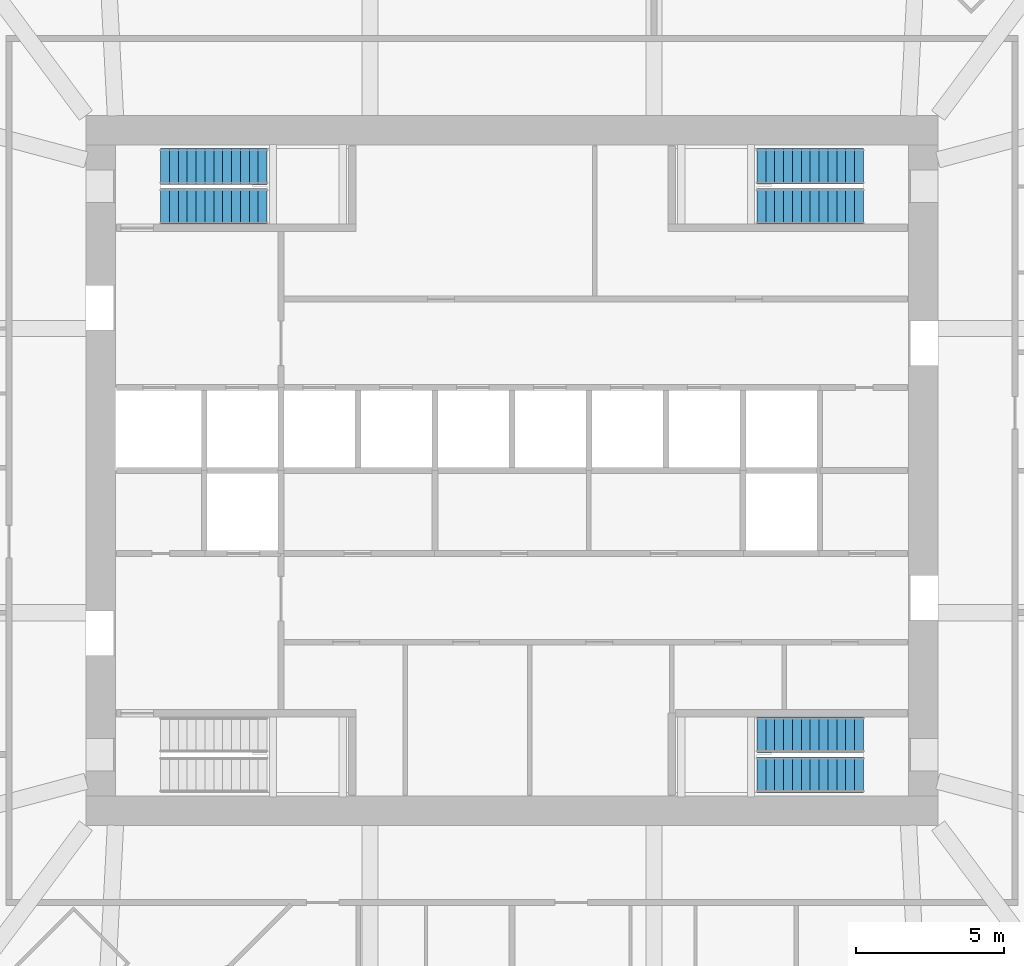
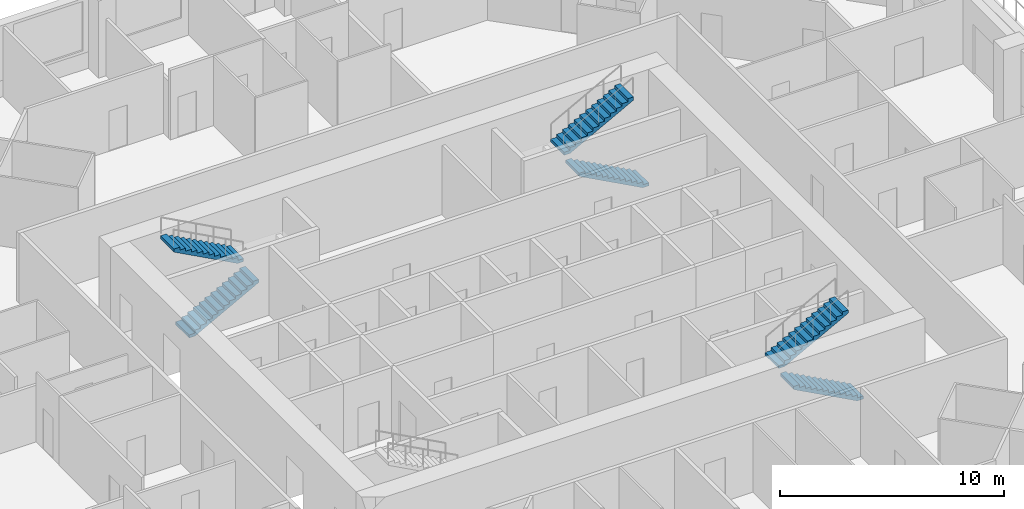
# One storey, part 11 of 13: 6 stair flights, 3 elements without a shape of their own.
"""IFC4 building model written with IfcOpenShell, lengths in metres."""

from ifc_helpers import new_model, si_unit, direction, frame, origin, place, context, subcontext, project, spatial, polyline, outline, extrude, material, type_object, element, aggregate, save


model = new_model("IFC4")

# Units and contexts
model_context = context("Model", 3, precision=1e-05, world=origin(), true_north=direction((0.0, 1.0)))
body_context = subcontext(model_context, "Body", "Model", "MODEL_VIEW")
ifc_project = project(units=[si_unit("LENGTHUNIT", "METRE"), si_unit("AREAUNIT", "SQUARE_METRE"), si_unit("VOLUMEUNIT", "CUBIC_METRE"), si_unit("PLANEANGLEUNIT", "RADIAN"), si_unit("MASSUNIT", "GRAM", prefix="KILO")], contexts=[model_context])

# Site, building, storey
site_placement = place(None, origin())
site = spatial("IfcSite", under=ifc_project, at=site_placement, CompositionType="ELEMENT")
building_placement = place(site_placement, origin())
building = spatial("IfcBuilding", under=site, at=building_placement, Name="Msitu Wima Residences", CompositionType="ELEMENT")
storey_placement = place(building_placement, frame((0.0, 0.0, 92.699951171875)))
storey = spatial("IfcBuildingStorey", under=building, at=storey_placement, Name="L21", CompositionType="ELEMENT", Elevation=92.699951171875)

# Stair, stair flights
ifc_material = material(Name="Concrete C40/50", Category="concrete")
stair_type = type_object("IfcStairType", Name="Exit stair ES1615-120", PredefinedType="HALF_TURN_STAIR", material=ifc_material)
stair_1_placement = place(storey_placement, origin())
stair_1 = element("IfcStair", 1, at=stair_1_placement, inside=storey, type_object=stair_type, Name="Exit stair 1", PredefinedType="HALF_TURN_STAIR")
stair_flight_type = type_object("IfcStairFlightType", Name="Exit stair flight ES1615-120", PredefinedType="STRAIGHT", material=ifc_material)
stair_flight_1_placement = place(storey_placement, frame((-11.875, 8.925048828125, 0.0), z_axis=(0.0, 0.0, 1.0), x_axis=(1.0, 0.0, 0.0)))
stair_flight_1 = element("IfcStairFlight", 2, at=stair_flight_1_placement, type_object=stair_flight_type, Name="S1 flight 1", NumberOfRisers=13, NumberOfTreads=12, PredefinedType="STRAIGHT", RiserHeight=0.161538462, TreadLength=0.3, context=body_context, shape_type="SweptSolid", body=[
    extrude(outline(polyline([(0.0, 0.0), (0.0, 0.16162109375), (0.300048828125, 0.16162109375), (0.300048828125, 0.322998046875), (0.60009765625, 0.322998046875), (0.60009765625, 0.484619140625), (0.89990234375, 0.484619140625), (0.89990234375, 0.646240234375), (1.199951171875, 0.646240234375), (1.199951171875, 0.8076171875), (1.5, 0.8076171875), (1.5, 0.96923828125), (1.800048828125, 0.96923828125), (1.800048828125, 1.130859375), (2.10009765625, 1.130859375), (2.10009765625, 1.292236328125), (2.39990234375, 1.292236328125), (2.39990234375, 1.453857421875), (2.699951171875, 1.453857421875), (2.699951171875, 1.615478515625), (3.0, 1.615478515625), (3.0, 1.77685546875), (3.300048828125, 1.77685546875), (3.300048828125, 1.9384765625), (3.60009765625, 1.9384765625), (3.60009765625, 2.10009765625), (3.60009765625, 1.768310546875), (0.316162109375, 0.0), (0.0, 0.0)])), frame((0.0, 0.60009765625, 0.0), z_axis=(0.0, -1.0, 0.0), x_axis=(1.0, 0.0, 0.0)), (0.0, 0.0, 1.0), 1.199951171875),
])
stair_flight_2_placement = place(storey_placement, frame((-8.27490234375, 10.27490234375, 2.10009765625), z_axis=(0.0, 0.0, 1.0), x_axis=(-1.0, 0.0, 0.0)))
stair_flight_2 = element("IfcStairFlight", 3, at=stair_flight_2_placement, type_object=stair_flight_type, Name="S1 flight 2", NumberOfRisers=13, NumberOfTreads=12, PredefinedType="STRAIGHT", RiserHeight=0.161538462, TreadLength=0.3, context=body_context, shape_type="SweptSolid", body=[
    extrude(outline(polyline([(0.0, 0.0), (0.0, 0.16162109375), (0.300048828125, 0.16162109375), (0.300048828125, 0.322998046875), (0.60009765625, 0.322998046875), (0.60009765625, 0.484619140625), (0.89990234375, 0.484619140625), (0.89990234375, 0.646240234375), (1.199951171875, 0.646240234375), (1.199951171875, 0.8076171875), (1.5, 0.8076171875), (1.5, 0.96923828125), (1.800048828125, 0.96923828125), (1.800048828125, 1.130859375), (2.10009765625, 1.130859375), (2.10009765625, 1.292236328125), (2.39990234375, 1.292236328125), (2.39990234375, 1.453857421875), (2.699951171875, 1.453857421875), (2.699951171875, 1.615478515625), (3.0, 1.615478515625), (3.0, 1.77685546875), (3.300048828125, 1.77685546875), (3.300048828125, 1.9384765625), (3.60009765625, 1.9384765625), (3.60009765625, 2.10009765625), (3.60009765625, 1.768310546875), (0.316162109375, 0.0), (0.0, 0.0)])), frame((0.0, 0.60009765625, 0.0), z_axis=(0.0, -1.0, 0.0), x_axis=(1.0, 0.0, 0.0)), (0.0, 0.0, 1.0), 1.199951171875),
])
aggregate(stair_1, [stair_flight_1, stair_flight_2])

stair_2_placement = place(storey_placement, origin())
stair_2 = element("IfcStair", 4, at=stair_2_placement, inside=storey, type_object=stair_type, Name="Exit stair 3", PredefinedType="HALF_TURN_STAIR")
stair_flight_3_placement = place(storey_placement, frame((11.875, 8.925048828125, 0.0), z_axis=(0.0, 0.0, 1.0), x_axis=(-1.0, 0.0, 0.0)))
stair_flight_3 = element("IfcStairFlight", 5, at=stair_flight_3_placement, type_object=stair_flight_type, Name="S3 flight 1", NumberOfRisers=13, NumberOfTreads=12, PredefinedType="STRAIGHT", RiserHeight=0.161538462, TreadLength=0.3, context=body_context, shape_type="SweptSolid", body=[
    extrude(outline(polyline([(0.0, 0.0), (0.0, 0.16162109375), (0.300048828125, 0.16162109375), (0.300048828125, 0.322998046875), (0.60009765625, 0.322998046875), (0.60009765625, 0.484619140625), (0.89990234375, 0.484619140625), (0.89990234375, 0.646240234375), (1.199951171875, 0.646240234375), (1.199951171875, 0.8076171875), (1.5, 0.8076171875), (1.5, 0.96923828125), (1.800048828125, 0.96923828125), (1.800048828125, 1.130859375), (2.10009765625, 1.130859375), (2.10009765625, 1.292236328125), (2.39990234375, 1.292236328125), (2.39990234375, 1.453857421875), (2.699951171875, 1.453857421875), (2.699951171875, 1.615478515625), (3.0, 1.615478515625), (3.0, 1.77685546875), (3.300048828125, 1.77685546875), (3.300048828125, 1.9384765625), (3.60009765625, 1.9384765625), (3.60009765625, 2.10009765625), (3.60009765625, 1.768310546875), (0.316162109375, 0.0), (0.0, 0.0)])), frame((0.0, 0.60009765625, 0.0), z_axis=(0.0, -1.0, 0.0), x_axis=(1.0, 0.0, 0.0)), (0.0, 0.0, 1.0), 1.199951171875),
])
stair_flight_4_placement = place(storey_placement, frame((8.27490234375, 10.27490234375, 2.10009765625), z_axis=(0.0, 0.0, 1.0), x_axis=(1.0, 0.0, 0.0)))
stair_flight_4 = element("IfcStairFlight", 6, at=stair_flight_4_placement, type_object=stair_flight_type, Name="S3 flight 2", NumberOfRisers=13, NumberOfTreads=12, PredefinedType="STRAIGHT", RiserHeight=0.161538462, TreadLength=0.3, context=body_context, shape_type="SweptSolid", body=[
    extrude(outline(polyline([(0.0, 0.0), (0.0, 0.16162109375), (0.300048828125, 0.16162109375), (0.300048828125, 0.322998046875), (0.60009765625, 0.322998046875), (0.60009765625, 0.484619140625), (0.89990234375, 0.484619140625), (0.89990234375, 0.646240234375), (1.199951171875, 0.646240234375), (1.199951171875, 0.8076171875), (1.5, 0.8076171875), (1.5, 0.96923828125), (1.800048828125, 0.96923828125), (1.800048828125, 1.130859375), (2.10009765625, 1.130859375), (2.10009765625, 1.292236328125), (2.39990234375, 1.292236328125), (2.39990234375, 1.453857421875), (2.699951171875, 1.453857421875), (2.699951171875, 1.615478515625), (3.0, 1.615478515625), (3.0, 1.77685546875), (3.300048828125, 1.77685546875), (3.300048828125, 1.9384765625), (3.60009765625, 1.9384765625), (3.60009765625, 2.10009765625), (3.60009765625, 1.768310546875), (0.316162109375, 0.0), (0.0, 0.0)])), frame((0.0, 0.60009765625, 0.0), z_axis=(0.0, -1.0, 0.0), x_axis=(1.0, 0.0, 0.0)), (0.0, 0.0, 1.0), 1.199951171875),
])
aggregate(stair_2, [stair_flight_3, stair_flight_4])

stair_3_placement = place(storey_placement, origin())
stair_3 = element("IfcStair", 7, at=stair_3_placement, inside=storey, type_object=stair_type, Name="Exit stair 4", PredefinedType="HALF_TURN_STAIR")
stair_flight_5_placement = place(storey_placement, frame((11.875, -10.27490234375, 0.0), z_axis=(0.0, 0.0, 1.0), x_axis=(-1.0, 0.0, 0.0)))
stair_flight_5 = element("IfcStairFlight", 8, at=stair_flight_5_placement, type_object=stair_flight_type, Name="S4 flight 1", NumberOfRisers=13, NumberOfTreads=12, PredefinedType="STRAIGHT", RiserHeight=0.161538462, TreadLength=0.3, context=body_context, shape_type="SweptSolid", body=[
    extrude(outline(polyline([(0.0, 0.0), (0.0, 0.16162109375), (0.300048828125, 0.16162109375), (0.300048828125, 0.322998046875), (0.60009765625, 0.322998046875), (0.60009765625, 0.484619140625), (0.89990234375, 0.484619140625), (0.89990234375, 0.646240234375), (1.199951171875, 0.646240234375), (1.199951171875, 0.8076171875), (1.5, 0.8076171875), (1.5, 0.96923828125), (1.800048828125, 0.96923828125), (1.800048828125, 1.130859375), (2.10009765625, 1.130859375), (2.10009765625, 1.292236328125), (2.39990234375, 1.292236328125), (2.39990234375, 1.453857421875), (2.699951171875, 1.453857421875), (2.699951171875, 1.615478515625), (3.0, 1.615478515625), (3.0, 1.77685546875), (3.300048828125, 1.77685546875), (3.300048828125, 1.9384765625), (3.60009765625, 1.9384765625), (3.60009765625, 2.10009765625), (3.60009765625, 1.768310546875), (0.316162109375, 0.0), (0.0, 0.0)])), frame((0.0, 0.60009765625, 0.0), z_axis=(0.0, -1.0, 0.0), x_axis=(1.0, 0.0, 0.0)), (0.0, 0.0, 1.0), 1.199951171875),
])
stair_flight_6_placement = place(storey_placement, frame((8.27490234375, -8.925048828125, 2.10009765625), z_axis=(0.0, 0.0, 1.0), x_axis=(1.0, 0.0, 0.0)))
stair_flight_6 = element("IfcStairFlight", 9, at=stair_flight_6_placement, type_object=stair_flight_type, Name="S4 flight 2", NumberOfRisers=13, NumberOfTreads=12, PredefinedType="STRAIGHT", RiserHeight=0.161538462, TreadLength=0.3, context=body_context, shape_type="SweptSolid", body=[
    extrude(outline(polyline([(0.0, 0.0), (0.0, 0.16162109375), (0.300048828125, 0.16162109375), (0.300048828125, 0.322998046875), (0.60009765625, 0.322998046875), (0.60009765625, 0.484619140625), (0.89990234375, 0.484619140625), (0.89990234375, 0.646240234375), (1.199951171875, 0.646240234375), (1.199951171875, 0.8076171875), (1.5, 0.8076171875), (1.5, 0.96923828125), (1.800048828125, 0.96923828125), (1.800048828125, 1.130859375), (2.10009765625, 1.130859375), (2.10009765625, 1.292236328125), (2.39990234375, 1.292236328125), (2.39990234375, 1.453857421875), (2.699951171875, 1.453857421875), (2.699951171875, 1.615478515625), (3.0, 1.615478515625), (3.0, 1.77685546875), (3.300048828125, 1.77685546875), (3.300048828125, 1.9384765625), (3.60009765625, 1.9384765625), (3.60009765625, 2.10009765625), (3.60009765625, 1.768310546875), (0.316162109375, 0.0), (0.0, 0.0)])), frame((0.0, 0.60009765625, 0.0), z_axis=(0.0, -1.0, 0.0), x_axis=(1.0, 0.0, 0.0)), (0.0, 0.0, 1.0), 1.199951171875),
])
aggregate(stair_3, [stair_flight_5, stair_flight_6])

save(model, "model.ifc")
